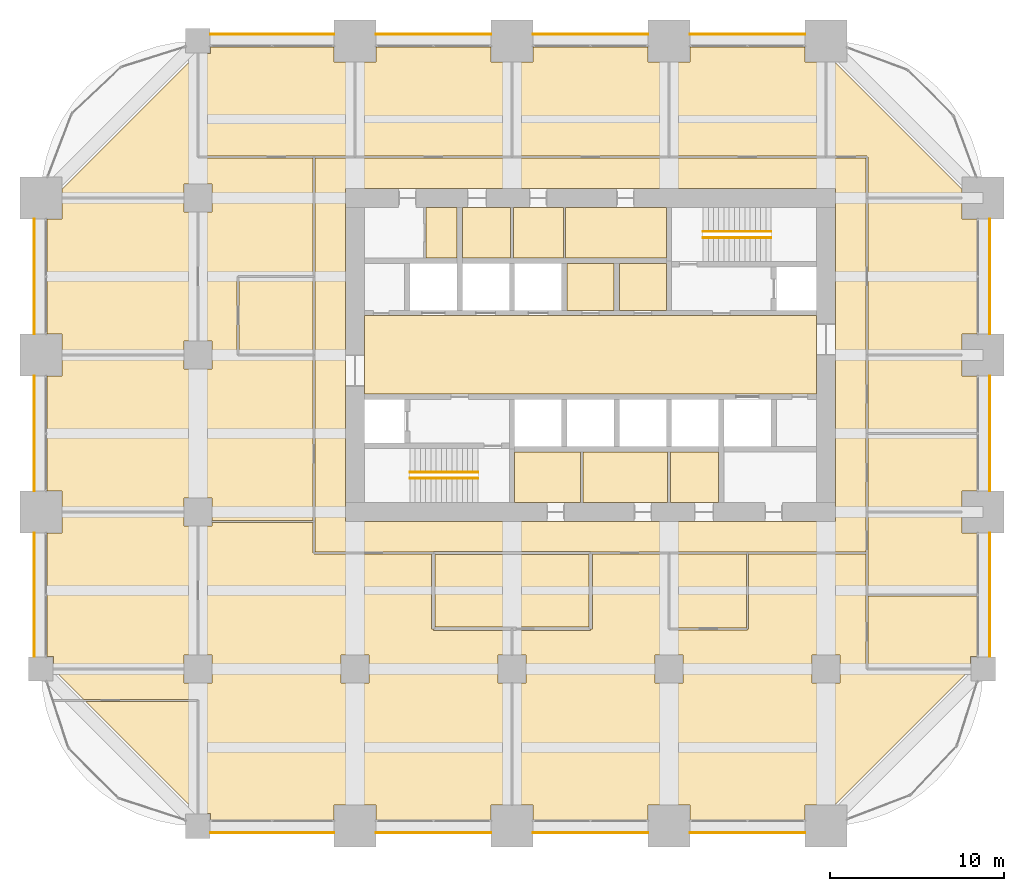
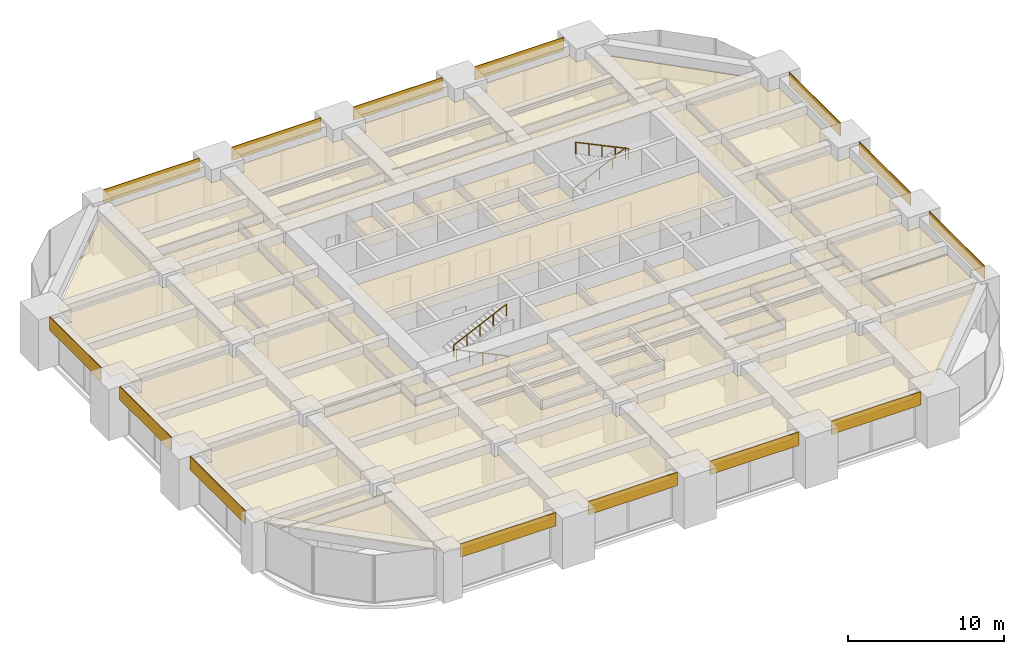
# One storey, part 32 of 32: 44 coverings, 4 railings.
"""IFC4 building model written with IfcOpenShell, lengths in metres."""

from ifc_helpers import new_model, si_unit, direction, frame, frame_2d, origin, origin_2d, place, context, subcontext, project, spatial, polyline, rectangle, circle, outline, extrude, material, layer, layer_set, type_object, element, save


model = new_model("IFC4")

# Units and contexts
model_context = context("Model", 3, precision=1e-05, world=origin(), true_north=direction((0.0, 1.0)))
body_context = subcontext(model_context, "Body", "Model", "MODEL_VIEW")
ifc_project = project(units=[si_unit("LENGTHUNIT", "METRE"), si_unit("AREAUNIT", "SQUARE_METRE"), si_unit("VOLUMEUNIT", "CUBIC_METRE"), si_unit("PLANEANGLEUNIT", "RADIAN"), si_unit("MASSUNIT", "GRAM", prefix="KILO")], contexts=[model_context])

# Site, building, storey
site_placement = place(None, origin())
site = spatial("IfcSite", under=ifc_project, at=site_placement, CompositionType="ELEMENT")
building_placement = place(site_placement, origin())
building = spatial("IfcBuilding", under=site, at=building_placement, Name="Zorevar Civic Tower", CompositionType="ELEMENT")
storey_placement = place(building_placement, frame((0.0, 0.0, 186.199951171875)))
storey = spatial("IfcBuildingStorey", under=building, at=storey_placement, Name="L45", CompositionType="ELEMENT", Elevation=186.199951171875)

# Railings
ifc_material_1 = material(Name="Black steel handrail", Category="steel")
railing_type = type_object("IfcRailingType", Name="Handrail HR1 900", PredefinedType="HANDRAIL", material=ifc_material_1)
railing_1_placement = place(storey_placement, frame((25.050048828125, 19.925048828125, 0.142822265625)))
element("IfcRailing", 1, at=railing_1_placement, inside=storey, type_object=railing_type, Name="Handrail HR1 ST1 L45", PredefinedType="HANDRAIL", context=body_context, shape_type="SweptSolid", body=[
    extrude(circle(Radius=0.02392578125, at=origin_2d()), frame((0.0, 0.0, 0.8759765625), z_axis=(-0.902863652845, 0.0, 0.429926998885), x_axis=(0.0, -1.0, 0.0)), (0.0, 0.0, 1.0), 4.31982421875),
    extrude(circle(Radius=0.02099609375, at=origin_2d()), origin(), (0.0, 0.0, 1.0), 0.851806640625),
    extrude(circle(Radius=0.02099609375, at=origin_2d()), frame((-0.97509765625, 0.0, 0.46435546875)), (0.0, 0.0, 1.0), 0.851806640625),
    extrude(circle(Radius=0.02099609375, at=origin_2d()), frame((-1.9501953125, 0.0, 0.9287109375)), (0.0, 0.0, 1.0), 0.851806640625),
    extrude(circle(Radius=0.02099609375, at=origin_2d()), frame((-2.925048828125, 0.0, 1.392822265625)), (0.0, 0.0, 1.0), 0.851806640625),
    extrude(circle(Radius=0.02099609375, at=origin_2d()), frame((-3.900146484375, 0.0, 1.857177734375)), (0.0, 0.0, 1.0), 0.851806640625),
])
for number, where, name in (
    (2, (21.14990234375, 20.27490234375, 2.142822265625), "Handrail HR1 ST1 L45"),
    (3, (37.949951171875, 34.074951171875, 0.142822265625), "Handrail HR1 ST2 L45"),
):
    element("IfcRailing", number, at=place(storey_placement, frame(where)), inside=storey, type_object=railing_type, Name=name, PredefinedType="HANDRAIL", context=body_context, shape_type="SweptSolid", body=[
        extrude(circle(Radius=0.02392578125, at=origin_2d()), frame((0.0, 0.0, 0.8759765625), z_axis=(0.902863652845, 0.0, 0.429926998885), x_axis=(0.0, 1.0, 0.0)), (0.0, 0.0, 1.0), 4.31982421875),
        extrude(circle(Radius=0.02099609375, at=origin_2d()), origin(), (0.0, 0.0, 1.0), 0.851806640625),
        extrude(circle(Radius=0.02099609375, at=origin_2d()), frame((0.97509765625, 0.0, 0.46435546875)), (0.0, 0.0, 1.0), 0.851806640625),
        extrude(circle(Radius=0.02099609375, at=origin_2d()), frame((1.9501953125, 0.0, 0.9287109375)), (0.0, 0.0, 1.0), 0.851806640625),
        extrude(circle(Radius=0.02099609375, at=origin_2d()), frame((2.925048828125, 0.0, 1.392822265625)), (0.0, 0.0, 1.0), 0.851806640625),
        extrude(circle(Radius=0.02099609375, at=origin_2d()), frame((3.900146484375, 0.0, 1.857177734375)), (0.0, 0.0, 1.0), 0.851806640625),
    ])
railing_2_placement = place(storey_placement, frame((41.85009765625, 33.72509765625, 2.142822265625)))
element("IfcRailing", 4, at=railing_2_placement, inside=storey, type_object=railing_type, Name="Handrail HR1 ST2 L45", PredefinedType="HANDRAIL", context=body_context, shape_type="SweptSolid", body=[
    extrude(circle(Radius=0.02392578125, at=origin_2d()), frame((0.0, 0.0, 0.8759765625), z_axis=(-0.902863652845, 0.0, 0.429926998885), x_axis=(0.0, -1.0, 0.0)), (0.0, 0.0, 1.0), 4.31982421875),
    extrude(circle(Radius=0.02099609375, at=origin_2d()), origin(), (0.0, 0.0, 1.0), 0.851806640625),
    extrude(circle(Radius=0.02099609375, at=origin_2d()), frame((-0.97509765625, 0.0, 0.46435546875)), (0.0, 0.0, 1.0), 0.851806640625),
    extrude(circle(Radius=0.02099609375, at=origin_2d()), frame((-1.9501953125, 0.0, 0.9287109375)), (0.0, 0.0, 1.0), 0.851806640625),
    extrude(circle(Radius=0.02099609375, at=origin_2d()), frame((-2.925048828125, 0.0, 1.392822265625)), (0.0, 0.0, 1.0), 0.851806640625),
    extrude(circle(Radius=0.02099609375, at=origin_2d()), frame((-3.900146484375, 0.0, 1.857177734375)), (0.0, 0.0, 1.0), 0.851806640625),
])

# Coverings
ifc_material_2 = material(Name="Moisture-resistant gypsum board")
ifc_layer_1 = layer(ifc_material_2, 0.012451171875)
ifc_layer_set_1 = layer_set([ifc_layer_1], Name="Moisture-resistant ceiling SC3")
covering_type_1 = type_object("IfcCoveringType", Name="Moisture-resistant ceiling SC3", PredefinedType="CEILING", material=ifc_layer_set_1)
covering_1_placement = place(storey_placement, frame((0.0, 0.0, 3.0)))
element("IfcCovering", 5, at=covering_1_placement, inside=storey, type_object=covering_type_1, Name="Ceiling L45-05", PredefinedType="CEILING", context=body_context, shape_type="SweptSolid", body=[
    extrude(outline(polyline([(30.925048828125, 18.550048828125), (30.925048828125, 21.449951171875), (27.14990234375, 21.449951171875), (27.14990234375, 18.550048828125), (30.925048828125, 18.550048828125)])), origin(), (0.0, 0.0, 1.0), 0.012451171875),
])
covering_2_placement = place(storey_placement, frame((0.0, 0.0, 3.0)))
element("IfcCovering", 6, at=covering_2_placement, inside=storey, type_object=covering_type_1, Name="Ceiling L45-06", PredefinedType="CEILING", context=body_context, shape_type="SweptSolid", body=[
    extrude(outline(polyline([(35.925048828125, 18.550048828125), (35.925048828125, 21.449951171875), (31.074951171875, 21.449951171875), (31.074951171875, 18.550048828125), (35.925048828125, 18.550048828125)])), origin(), (0.0, 0.0, 1.0), 0.012451171875),
])
covering_3_placement = place(storey_placement, frame((0.0, 0.0, 3.0)))
element("IfcCovering", 7, at=covering_3_placement, inside=storey, type_object=covering_type_1, Name="Ceiling L45-07", PredefinedType="CEILING", context=body_context, shape_type="SweptSolid", body=[
    extrude(outline(polyline([(38.85009765625, 18.550048828125), (38.85009765625, 21.449951171875), (36.074951171875, 21.449951171875), (36.074951171875, 18.550048828125), (38.85009765625, 18.550048828125)])), origin(), (0.0, 0.0, 1.0), 0.012451171875),
])
covering_4_placement = place(storey_placement, frame((0.0, 0.0, 3.0)))
element("IfcCovering", 8, at=covering_4_placement, inside=storey, type_object=covering_type_1, Name="Ceiling L45-10", PredefinedType="CEILING", context=body_context, shape_type="SweptSolid", body=[
    extrude(outline(polyline([(26.925048828125, 32.550048828125), (26.925048828125, 35.449951171875), (24.14990234375, 35.449951171875), (24.14990234375, 32.550048828125), (26.925048828125, 32.550048828125)])), origin(), (0.0, 0.0, 1.0), 0.012451171875),
])
ifc_material_3 = material(Name="Black anodised aluminium spandrel panel", Category="aluminium")
ifc_layer_2 = layer(ifc_material_3, 0.050048828125)
ifc_layer_set_2 = layer_set([ifc_layer_2], Name="Spandrel cladding SP1")
covering_type_2 = type_object("IfcCoveringType", Name="Spandrel cladding SP1", PredefinedType="CLADDING", material=ifc_layer_set_2)
covering_5_placement = place(storey_placement, frame((9.699951171875, -0.375, 2.949951171875), z_axis=(0.0, 0.0, 1.0), x_axis=(1.0, 0.0, 0.0)))
element("IfcCovering", 9, at=covering_5_placement, inside=storey, type_object=covering_type_2, Name="Spandrel cladding L46", PredefinedType="CLADDING", context=body_context, shape_type="SweptSolid", body=[
    extrude(rectangle(XDim=7.10009765625, YDim=0.050048828125, at=frame_2d((3.550048828125, 0.0))), origin(), (0.0, 0.0, 1.0), 1.050048828125),
])
for number, where, z_axis, x_axis, name in (
    (10, (19.199951171875, -0.375, 2.949951171875), (0.0, 0.0, 1.0), (1.0, 0.0, 0.0), "Spandrel cladding L46"),
    (11, (28.199951171875, -0.375, 2.949951171875), (0.0, 0.0, 1.0), (1.0, 0.0, 0.0), "Spandrel cladding L46"),
    (12, (37.199951171875, -0.375, 2.949951171875), (0.0, 0.0, 1.0), (1.0, 0.0, 0.0), "Spandrel cladding L46"),
):
    element("IfcCovering", number, at=place(storey_placement, frame(where, z_axis=z_axis, x_axis=x_axis)), inside=storey, type_object=covering_type_2, Name=name, PredefinedType="CLADDING", context=body_context, shape_type="SweptSolid", body=[
        extrude(rectangle(XDim=6.60009765625, YDim=0.050048828125, at=frame_2d((3.300048828125, 0.0))), origin(), (0.0, 0.0, 1.0), 1.050048828125),
    ])
covering_6_placement = place(storey_placement, frame((9.699951171875, 45.375, 2.949951171875), z_axis=(0.0, 0.0, 1.0), x_axis=(1.0, 0.0, 0.0)))
element("IfcCovering", 13, at=covering_6_placement, inside=storey, type_object=covering_type_2, Name="Spandrel cladding L46", PredefinedType="CLADDING", context=body_context, shape_type="SweptSolid", body=[
    extrude(rectangle(XDim=7.10009765625, YDim=0.050048828125, at=frame_2d((3.550048828125, 0.0))), origin(), (0.0, 0.0, 1.0), 1.050048828125),
])
for number, where, z_axis, x_axis, name in (
    (14, (19.199951171875, 45.375, 2.949951171875), (0.0, 0.0, 1.0), (1.0, 0.0, 0.0), "Spandrel cladding L46"),
    (15, (28.199951171875, 45.375, 2.949951171875), (0.0, 0.0, 1.0), (1.0, 0.0, 0.0), "Spandrel cladding L46"),
    (16, (37.199951171875, 45.375, 2.949951171875), (0.0, 0.0, 1.0), (1.0, 0.0, 0.0), "Spandrel cladding L46"),
):
    element("IfcCovering", number, at=place(storey_placement, frame(where, z_axis=z_axis, x_axis=x_axis)), inside=storey, type_object=covering_type_2, Name=name, PredefinedType="CLADDING", context=body_context, shape_type="SweptSolid", body=[
        extrude(rectangle(XDim=6.60009765625, YDim=0.050048828125, at=frame_2d((3.300048828125, 0.0))), origin(), (0.0, 0.0, 1.0), 1.050048828125),
    ])
covering_7_placement = place(storey_placement, frame((-0.375, 9.699951171875, 2.949951171875), z_axis=(0.0, 0.0, 1.0), x_axis=(0.0, 1.0, 0.0)))
element("IfcCovering", 17, at=covering_7_placement, inside=storey, type_object=covering_type_2, Name="Spandrel cladding L46", PredefinedType="CLADDING", context=body_context, shape_type="SweptSolid", body=[
    extrude(rectangle(XDim=7.10009765625, YDim=0.050048828125, at=frame_2d((3.550048828125, 0.0))), origin(), (0.0, 0.0, 1.0), 1.050048828125),
])
for number, where, z_axis, x_axis, name in (
    (18, (-0.375, 19.199951171875, 2.949951171875), (0.0, 0.0, 1.0), (0.0, 1.0, 0.0), "Spandrel cladding L46"),
    (19, (-0.375, 28.199951171875, 2.949951171875), (0.0, 0.0, 1.0), (0.0, 1.0, 0.0), "Spandrel cladding L46"),
):
    element("IfcCovering", number, at=place(storey_placement, frame(where, z_axis=z_axis, x_axis=x_axis)), inside=storey, type_object=covering_type_2, Name=name, PredefinedType="CLADDING", context=body_context, shape_type="SweptSolid", body=[
        extrude(rectangle(XDim=6.60009765625, YDim=0.050048828125, at=frame_2d((3.300048828125, 0.0))), origin(), (0.0, 0.0, 1.0), 1.050048828125),
    ])
covering_8_placement = place(storey_placement, frame((54.375, 9.699951171875, 2.949951171875), z_axis=(0.0, 0.0, 1.0), x_axis=(0.0, 1.0, 0.0)))
element("IfcCovering", 20, at=covering_8_placement, inside=storey, type_object=covering_type_2, Name="Spandrel cladding L46", PredefinedType="CLADDING", context=body_context, shape_type="SweptSolid", body=[
    extrude(rectangle(XDim=7.10009765625, YDim=0.050048828125, at=frame_2d((3.550048828125, 0.0))), origin(), (0.0, 0.0, 1.0), 1.050048828125),
])
for number, where, z_axis, x_axis, name in (
    (21, (54.375, 19.199951171875, 2.949951171875), (0.0, 0.0, 1.0), (0.0, 1.0, 0.0), "Spandrel cladding L46"),
    (22, (54.375, 28.199951171875, 2.949951171875), (0.0, 0.0, 1.0), (0.0, 1.0, 0.0), "Spandrel cladding L46"),
):
    element("IfcCovering", number, at=place(storey_placement, frame(where, z_axis=z_axis, x_axis=x_axis)), inside=storey, type_object=covering_type_2, Name=name, PredefinedType="CLADDING", context=body_context, shape_type="SweptSolid", body=[
        extrude(rectangle(XDim=6.60009765625, YDim=0.050048828125, at=frame_2d((3.300048828125, 0.0))), origin(), (0.0, 0.0, 1.0), 1.050048828125),
    ])
ifc_material_4 = material(Name="Mineral fibre tiles on a concealed grid")
ifc_layer_3 = layer(ifc_material_4, 0.02001953125)
ifc_layer_set_3 = layer_set([ifc_layer_3], Name="Suspended ceiling SC1")
covering_type_3 = type_object("IfcCoveringType", Name="Suspended ceiling SC1", PredefinedType="CEILING", material=ifc_layer_set_3)
covering_9_placement = place(storey_placement, frame((0.0, 0.0, 3.0)))
element("IfcCovering", 23, at=covering_9_placement, inside=storey, type_object=covering_type_3, Name="Ceiling L45-08", PredefinedType="CEILING", context=body_context, shape_type="SweptSolid", body=[
    extrude(outline(polyline([(35.85009765625, 32.550048828125), (35.85009765625, 35.449951171875), (30.06005859375, 35.449951171875), (30.06005859375, 32.550048828125), (35.85009765625, 32.550048828125)])), origin(), (0.0, 0.0, 1.0), 0.02001953125),
])
covering_10_placement = place(storey_placement, frame((0.0, 0.0, 3.0)))
element("IfcCovering", 24, at=covering_10_placement, inside=storey, type_object=covering_type_3, Name="Ceiling L45-09", PredefinedType="CEILING", context=body_context, shape_type="SweptSolid", body=[
    extrude(outline(polyline([(29.93994140625, 32.550048828125), (29.93994140625, 35.449951171875), (27.074951171875, 35.449951171875), (27.074951171875, 32.550048828125), (29.93994140625, 32.550048828125)])), origin(), (0.0, 0.0, 1.0), 0.02001953125),
])
covering_11_placement = place(storey_placement, frame((0.0, 0.0, 3.0)))
element("IfcCovering", 25, at=covering_11_placement, inside=storey, type_object=covering_type_3, Name="Ceiling L45-12", PredefinedType="CEILING", context=body_context, shape_type="SweptSolid", body=[
    extrude(outline(polyline([(23.85009765625, 32.550048828125), (23.85009765625, 35.449951171875), (22.06005859375, 35.449951171875), (22.06005859375, 32.550048828125), (23.85009765625, 32.550048828125)])), origin(), (0.0, 0.0, 1.0), 0.02001953125),
])
covering_12_placement = place(storey_placement, frame((0.0, 0.0, 3.0)))
element("IfcCovering", 26, at=covering_12_placement, inside=storey, type_object=covering_type_3, Name="Ceiling L45-16", PredefinedType="CEILING", context=body_context, shape_type="SweptSolid", body=[
    extrude(outline(polyline([(44.449951171875, 24.75), (44.449951171875, 29.25), (18.550048828125, 29.25), (18.550048828125, 24.75), (44.449951171875, 24.75)])), origin(), (0.0, 0.0, 1.0), 0.02001953125),
])
covering_13_placement = place(storey_placement, frame((0.0, 0.0, 3.0)))
element("IfcCovering", 27, at=covering_13_placement, inside=storey, type_object=covering_type_3, Name="Ceiling L45-17", PredefinedType="CEILING", context=body_context, shape_type="SweptSolid", body=[
    extrude(outline(polyline([(35.85009765625, 29.550048828125), (35.85009765625, 32.25), (33.14990234375, 32.25), (33.14990234375, 29.550048828125), (35.85009765625, 29.550048828125)])), origin(), (0.0, 0.0, 1.0), 0.02001953125),
])
covering_14_placement = place(storey_placement, frame((0.0, 0.0, 3.0)))
element("IfcCovering", 28, at=covering_14_placement, inside=storey, type_object=covering_type_3, Name="Ceiling L45-18", PredefinedType="CEILING", context=body_context, shape_type="SweptSolid", body=[
    extrude(outline(polyline([(32.85009765625, 29.550048828125), (32.85009765625, 32.25), (30.14990234375, 32.25), (30.14990234375, 29.550048828125), (32.85009765625, 29.550048828125)])), origin(), (0.0, 0.0, 1.0), 0.02001953125),
])
covering_15_placement = place(storey_placement, frame((0.0, 0.0, 3.0)))
element("IfcCovering", 29, at=covering_15_placement, inside=storey, type_object=covering_type_3, Name="Ceiling L45-19", PredefinedType="CEILING", context=body_context, shape_type="SweptSolid", body=[
    extrude(outline(polyline([(47.409912109375, 13.18994140625), (53.64990234375, 13.18994140625), (53.64990234375, 9.7099609375), (53.2900390625, 9.7099609375), (53.2900390625, 9.06005859375), (47.409912109375, 9.06005859375), (47.409912109375, 13.18994140625)])), origin(), (0.0, 0.0, 1.0), 0.02001953125),
])
covering_16_placement = place(storey_placement, frame((0.0, 0.0, 3.0)))
element("IfcCovering", 30, at=covering_16_placement, inside=storey, type_object=covering_type_3, Name="Ceiling L45-20", PredefinedType="CEILING", context=body_context, shape_type="SweptSolid", body=[
    extrude(outline(polyline([(47.409912109375, 17.93994140625), (52.7900390625, 17.93994140625), (52.7900390625, 16.7900390625), (53.64990234375, 16.7900390625), (53.64990234375, 13.31005859375), (47.409912109375, 13.31005859375), (47.409912109375, 17.93994140625)])), origin(), (0.0, 0.0, 1.0), 0.02001953125),
])
covering_17_placement = place(storey_placement, frame((0.0, 0.0, 3.0)))
element("IfcCovering", 31, at=covering_17_placement, inside=storey, type_object=covering_type_3, Name="Ceiling L45-21", PredefinedType="CEILING", context=body_context, shape_type="SweptSolid", body=[
    extrude(outline(polyline([(47.409912109375, 22.43994140625), (53.64990234375, 22.43994140625), (53.64990234375, 19.2099609375), (52.7900390625, 19.2099609375), (52.7900390625, 18.06005859375), (47.409912109375, 18.06005859375), (47.409912109375, 22.43994140625)])), origin(), (0.0, 0.0, 1.0), 0.02001953125),
])
covering_18_placement = place(storey_placement, frame((0.0, 0.0, 3.0)))
element("IfcCovering", 32, at=covering_18_placement, inside=storey, type_object=covering_type_3, Name="Ceiling L45-22", PredefinedType="CEILING", context=body_context, shape_type="SweptSolid", body=[
    extrude(outline(polyline([(47.409912109375, 26.93994140625), (52.7900390625, 26.93994140625), (52.7900390625, 25.7900390625), (53.64990234375, 25.7900390625), (53.64990234375, 22.56005859375), (47.409912109375, 22.56005859375), (47.409912109375, 26.93994140625)])), origin(), (0.0, 0.0, 1.0), 0.02001953125),
])
covering_19_placement = place(storey_placement, frame((0.0, 0.0, 3.0)))
element("IfcCovering", 33, at=covering_19_placement, inside=storey, type_object=covering_type_3, Name="Ceiling L45-23", PredefinedType="CEILING", context=body_context, shape_type="SweptSolid", body=[
    extrude(outline(polyline([(53.64990234375, 28.2099609375), (52.7900390625, 28.2099609375), (52.7900390625, 27.06005859375), (47.409912109375, 27.06005859375), (47.409912109375, 35.93994140625), (52.7900390625, 35.93994140625), (52.7900390625, 34.7900390625), (53.64990234375, 34.7900390625), (53.64990234375, 28.2099609375)])), origin(), (0.0, 0.0, 1.0), 0.02001953125),
])
covering_20_placement = place(storey_placement, frame((0.0, 0.0, 3.0)))
element("IfcCovering", 34, at=covering_20_placement, inside=storey, type_object=covering_type_3, Name="Ceiling L45-24", PredefinedType="CEILING", context=body_context, shape_type="SweptSolid", body=[
    extrude(outline(polyline([(9.7099609375, 44.2900390625), (9.7099609375, 44.64990234375), (16.7900390625, 44.64990234375), (16.7900390625, 43.7900390625), (17.93994140625, 43.7900390625), (17.93994140625, 38.409912109375), (9.06005859375, 38.409912109375), (9.06005859375, 44.2900390625), (9.7099609375, 44.2900390625)])), origin(), (0.0, 0.0, 1.0), 0.02001953125),
])
covering_21_placement = place(storey_placement, frame((0.0, 0.0, 3.0)))
element("IfcCovering", 35, at=covering_21_placement, inside=storey, type_object=covering_type_3, Name="Ceiling L45-25", PredefinedType="CEILING", context=body_context, shape_type="SweptSolid", body=[
    extrude(outline(polyline([(19.2099609375, 43.7900390625), (19.2099609375, 44.64990234375), (25.7900390625, 44.64990234375), (25.7900390625, 43.7900390625), (26.93994140625, 43.7900390625), (26.93994140625, 38.409912109375), (18.06005859375, 38.409912109375), (18.06005859375, 43.7900390625), (19.2099609375, 43.7900390625)])), origin(), (0.0, 0.0, 1.0), 0.02001953125),
])
covering_22_placement = place(storey_placement, frame((0.0, 0.0, 3.0)))
element("IfcCovering", 36, at=covering_22_placement, inside=storey, type_object=covering_type_3, Name="Ceiling L45-26", PredefinedType="CEILING", context=body_context, shape_type="SweptSolid", body=[
    extrude(outline(polyline([(37.2099609375, 43.7900390625), (37.2099609375, 44.64990234375), (43.7900390625, 44.64990234375), (43.7900390625, 43.7900390625), (44.93994140625, 43.7900390625), (44.93994140625, 38.409912109375), (36.06005859375, 38.409912109375), (36.06005859375, 43.7900390625), (37.2099609375, 43.7900390625)])), origin(), (0.0, 0.0, 1.0), 0.02001953125),
])
covering_23_placement = place(storey_placement, frame((0.0, 0.0, 3.0)))
element("IfcCovering", 37, at=covering_23_placement, inside=storey, type_object=covering_type_3, Name="Ceiling L45-27", PredefinedType="CEILING", context=body_context, shape_type="SweptSolid", body=[
    extrude(outline(polyline([(22.60009765625, 15.550048828125), (31.39990234375, 15.550048828125), (31.39990234375, 11.39990234375), (22.60009765625, 11.39990234375), (22.60009765625, 15.550048828125)])), origin(), (0.0, 0.0, 1.0), 0.02001953125),
])
covering_24_placement = place(storey_placement, frame((0.0, 0.0, 3.0)))
element("IfcCovering", 38, at=covering_24_placement, inside=storey, type_object=covering_type_3, Name="Ceiling L45-28", PredefinedType="CEILING", context=body_context, shape_type="SweptSolid", body=[
    extrude(outline(polyline([(40.43994140625, 15.590087890625), (40.43994140625, 11.360107421875), (36.06005859375, 11.360107421875), (36.06005859375, 15.590087890625), (40.43994140625, 15.590087890625)])), origin(), (0.0, 0.0, 1.0), 0.02001953125),
])
covering_25_placement = place(storey_placement, frame((0.0, 0.0, 3.0)))
element("IfcCovering", 39, at=covering_25_placement, inside=storey, type_object=covering_type_3, Name="Ceiling L45-29", PredefinedType="CEILING", context=body_context, shape_type="SweptSolid", body=[
    extrude(outline(polyline([(8.93994140625, 9.81005859375), (8.18994140625, 9.81005859375), (8.18994140625, 9.06005859375), (0.7099609375, 9.06005859375), (0.7099609375, 9.7099609375), (0.35009765625, 9.7099609375), (0.35009765625, 16.7900390625), (1.2099609375, 16.7900390625), (1.2099609375, 17.93994140625), (8.18994140625, 17.93994140625), (8.18994140625, 17.18994140625), (8.93994140625, 17.18994140625), (8.93994140625, 9.81005859375)])), origin(), (0.0, 0.0, 1.0), 0.02001953125),
])
covering_26_placement = place(storey_placement, frame((0.0, 0.0, 3.0)))
element("IfcCovering", 40, at=covering_26_placement, inside=storey, type_object=covering_type_3, Name="Ceiling L45-30", PredefinedType="CEILING", context=body_context, shape_type="SweptSolid", body=[
    extrude(outline(polyline([(8.93994140625, 27.81005859375), (8.18994140625, 27.81005859375), (8.18994140625, 27.06005859375), (1.2099609375, 27.06005859375), (1.2099609375, 28.2099609375), (0.35009765625, 28.2099609375), (0.35009765625, 34.7900390625), (1.2099609375, 34.7900390625), (1.2099609375, 35.93994140625), (8.18994140625, 35.93994140625), (8.18994140625, 35.18994140625), (8.93994140625, 35.18994140625), (8.93994140625, 27.81005859375)])), origin(), (0.0, 0.0, 1.0), 0.02001953125),
])
covering_27_placement = place(storey_placement, frame((0.0, 0.0, 3.0)))
element("IfcCovering", 41, at=covering_27_placement, inside=storey, type_object=covering_type_3, Name="Ceiling L45-31", PredefinedType="CEILING", context=body_context, shape_type="SweptSolid", body=[
    extrude(outline(polyline([(11.360107421875, 27.06005859375), (11.360107421875, 31.43994140625), (15.590087890625, 31.43994140625), (15.590087890625, 27.06005859375), (11.360107421875, 27.06005859375)])), origin(), (0.0, 0.0, 1.0), 0.02001953125),
])
covering_28_placement = place(storey_placement, frame((0.0, 0.0, 3.0)))
element("IfcCovering", 42, at=covering_28_placement, inside=storey, type_object=covering_type_3, Name="Ceiling L45-32", PredefinedType="CEILING", context=body_context, shape_type="SweptSolid", body=[
    extrude(outline(polyline([(8.949951171875, 7.14990234375), (8.949951171875, 0.757080078125), (2.55712890625, 7.14990234375), (8.949951171875, 7.14990234375)])), origin(), (0.0, 0.0, 1.0), 0.02001953125),
])
covering_29_placement = place(storey_placement, frame((0.0, 0.0, 3.0)))
element("IfcCovering", 43, at=covering_29_placement, inside=storey, type_object=covering_type_3, Name="Ceiling L45-33", PredefinedType="CEILING", context=body_context, shape_type="SweptSolid", body=[
    extrude(outline(polyline([(15.699951171875, 38.2900390625), (27.0, 38.2900390625), (27.0, 38.300048828125), (36.0, 38.300048828125), (36.0, 38.2900390625), (45.0, 38.2900390625), (45.0, 38.300048828125), (47.300048828125, 38.300048828125), (47.300048828125, 36.0), (47.2900390625, 36.0), (47.2900390625, 15.699951171875), (40.5, 15.699951171875), (40.5, 15.7099609375), (36.0, 15.7099609375), (36.0, 15.699951171875), (31.5, 15.699951171875), (31.5, 15.75), (22.5, 15.75), (22.5, 15.699951171875), (15.699951171875, 15.699951171875), (15.699951171875, 27.0), (15.7099609375, 27.0), (15.7099609375, 31.5), (15.699951171875, 31.5), (15.699951171875, 38.2900390625)]), holes=[polyline([(45.550048828125, 36.550048828125), (17.449951171875, 36.550048828125), (17.449951171875, 17.449951171875), (45.550048828125, 17.449951171875), (45.550048828125, 36.550048828125)])]), origin(), (0.0, 0.0, 1.0), 0.02001953125),
])
covering_30_placement = place(storey_placement, frame((0.0, 0.0, 3.0)))
element("IfcCovering", 44, at=covering_30_placement, inside=storey, type_object=covering_type_3, Name="Ceiling L45-34", PredefinedType="CEILING", context=body_context, shape_type="SweptSolid", body=[
    extrude(outline(polyline([(35.93994140625, 38.39990234375), (27.06005859375, 38.39990234375), (27.06005859375, 43.7900390625), (28.2099609375, 43.7900390625), (28.2099609375, 44.64990234375), (34.7900390625, 44.64990234375), (34.7900390625, 43.7900390625), (35.93994140625, 43.7900390625), (35.93994140625, 38.39990234375)])), origin(), (0.0, 0.0, 1.0), 0.02001953125),
])
covering_31_placement = place(storey_placement, frame((0.0, 0.0, 3.0)))
element("IfcCovering", 45, at=covering_31_placement, inside=storey, type_object=covering_type_3, Name="Ceiling L45-35", PredefinedType="CEILING", context=body_context, shape_type="SweptSolid", body=[
    extrude(outline(polyline([(47.3505859375, 38.40087890625), (45.06103515625, 38.40087890625), (45.06103515625, 43.7900390625), (45.5029296875, 43.7900390625), (52.7900390625, 36.5029296875), (52.7900390625, 36.06005859375), (47.39990234375, 36.06005859375), (47.40087890625, 38.35009765625), (47.35107421875, 38.35107421875), (47.3505859375, 38.40087890625)])), origin(), (0.0, 0.0, 1.0), 0.02001953125),
])
covering_32_placement = place(storey_placement, frame((0.0, 0.0, 3.0)))
element("IfcCovering", 46, at=covering_32_placement, inside=storey, type_object=covering_type_3, Name="Ceiling L45-36", PredefinedType="CEILING", context=body_context, shape_type="SweptSolid", body=[
    extrude(outline(polyline([(22.39990234375, 11.300048828125), (22.5, 11.300048828125), (22.5, 11.199951171875), (26.949951171875, 11.199951171875), (26.949951171875, 9.81005859375), (26.18994140625, 9.81005859375), (26.18994140625, 8.18994140625), (26.949951171875, 8.18994140625), (26.949951171875, 1.2099609375), (25.7900390625, 1.2099609375), (25.7900390625, 0.35009765625), (19.2099609375, 0.35009765625), (19.2099609375, 1.2099609375), (16.7900390625, 1.2099609375), (16.7900390625, 0.35009765625), (9.7099609375, 0.35009765625), (9.7099609375, 0.7099609375), (9.050048828125, 0.7099609375), (9.050048828125, 7.199951171875), (9.0, 7.199951171875), (9.0, 7.25), (2.45703125, 7.25), (0.76708984375, 8.93994140625), (8.18994140625, 8.93994140625), (8.18994140625, 8.18994140625), (9.81005859375, 8.18994140625), (9.81005859375, 9.81005859375), (9.06005859375, 9.81005859375), (9.06005859375, 17.18994140625), (9.81005859375, 17.18994140625), (9.81005859375, 17.39990234375), (15.60009765625, 17.39990234375), (15.60009765625, 15.64990234375), (15.64990234375, 15.64990234375), (15.64990234375, 15.60009765625), (22.39990234375, 15.60009765625), (22.39990234375, 11.300048828125)]), holes=[polyline([(18.81005859375, 8.18994140625), (18.81005859375, 9.81005859375), (17.18994140625, 9.81005859375), (17.18994140625, 8.18994140625), (18.81005859375, 8.18994140625)])]), origin(), (0.0, 0.0, 1.0), 0.02001953125),
])
covering_33_placement = place(storey_placement, frame((0.0, 0.0, 3.0)))
element("IfcCovering", 47, at=covering_33_placement, inside=storey, type_object=covering_type_3, Name="Ceiling L45-37", PredefinedType="CEILING", context=body_context, shape_type="SweptSolid", body=[
    extrude(outline(polyline([(47.35009765625, 9.0), (47.35009765625, 8.93994140625), (53.23291015625, 8.93994140625), (45.5029296875, 1.2099609375), (43.7900390625, 1.2099609375), (43.7900390625, 0.35009765625), (37.2099609375, 0.35009765625), (37.2099609375, 1.2099609375), (34.7900390625, 1.2099609375), (34.7900390625, 0.35009765625), (28.2099609375, 0.35009765625), (28.2099609375, 1.2099609375), (27.050048828125, 1.2099609375), (27.050048828125, 8.18994140625), (27.81005859375, 8.18994140625), (27.81005859375, 9.81005859375), (27.050048828125, 9.81005859375), (27.050048828125, 11.199951171875), (31.5, 11.199951171875), (31.5, 11.300048828125), (31.60009765625, 11.300048828125), (31.60009765625, 15.60009765625), (35.93994140625, 15.60009765625), (35.93994140625, 11.300048828125), (36.0, 11.300048828125), (36.0, 11.239990234375), (40.5, 11.239990234375), (40.5, 11.300048828125), (40.56005859375, 11.300048828125), (40.56005859375, 15.60009765625), (47.2900390625, 15.60009765625), (47.2900390625, 9.0), (47.35009765625, 9.0)]), holes=[polyline([(36.81005859375, 9.81005859375), (35.18994140625, 9.81005859375), (35.18994140625, 8.18994140625), (36.81005859375, 8.18994140625), (36.81005859375, 9.81005859375)]), polyline([(44.18994140625, 8.18994140625), (45.81005859375, 8.18994140625), (45.81005859375, 9.81005859375), (44.18994140625, 9.81005859375), (44.18994140625, 8.18994140625)])]), origin(), (0.0, 0.0, 1.0), 0.02001953125),
])
covering_34_placement = place(storey_placement, frame((0.0, 0.0, 3.0)))
element("IfcCovering", 48, at=covering_34_placement, inside=storey, type_object=covering_type_3, Name="Ceiling L45-38", PredefinedType="CEILING", context=body_context, shape_type="SweptSolid", body=[
    extrude(outline(polyline([(8.93994140625, 38.35107421875), (9.0, 38.35009765625), (9.000244140625, 38.290283203125), (15.60009765625, 38.2900390625), (15.59912109375, 31.56103515625), (11.300048828125, 31.56103515625), (11.299072265625, 31.5009765625), (11.239013671875, 31.5), (11.2392578125, 26.999267578125), (11.299072265625, 26.9990234375), (11.300048828125, 26.93896484375), (15.59912109375, 26.93896484375), (15.59912109375, 17.5009765625), (9.81005859375, 17.5009765625), (9.81005859375, 18.81005859375), (8.18994140625, 18.81005859375), (8.18994140625, 18.06103515625), (1.2099609375, 18.06103515625), (1.2099609375, 19.2099609375), (0.35107421875, 19.2099609375), (0.35107421875, 25.7900390625), (1.2099609375, 25.7900390625), (1.2099609375, 26.93896484375), (8.18994140625, 26.93896484375), (8.18994140625, 26.18994140625), (9.81005859375, 26.18994140625), (9.81005859375, 27.81005859375), (9.06103515625, 27.81005859375), (9.06103515625, 35.18994140625), (9.81005859375, 35.18994140625), (9.81005859375, 36.81005859375), (8.18994140625, 36.81005859375), (8.18994140625, 36.06103515625), (1.2099609375, 36.06103515625), (1.2099609375, 36.5029296875), (8.93994140625, 44.23291015625), (8.93994140625, 38.35107421875)])), origin(), (0.0, 0.0, 1.0), 0.02001953125),
])

save(model, "model.ifc")
